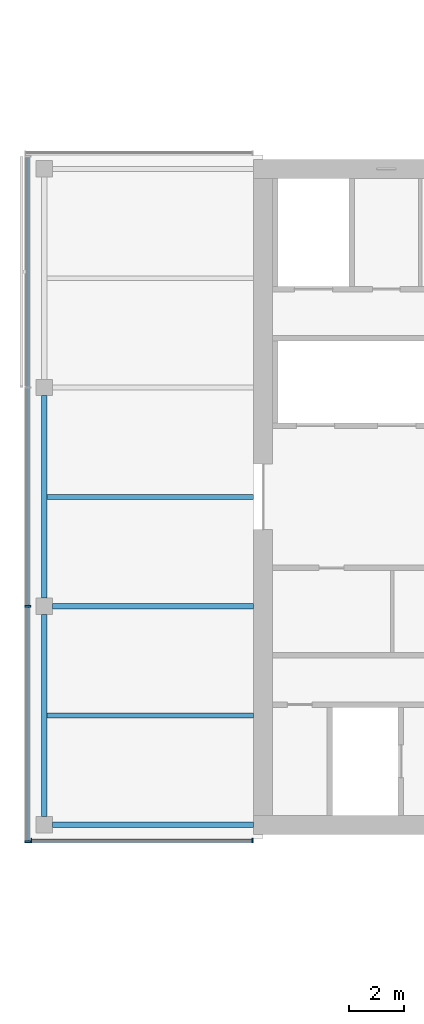
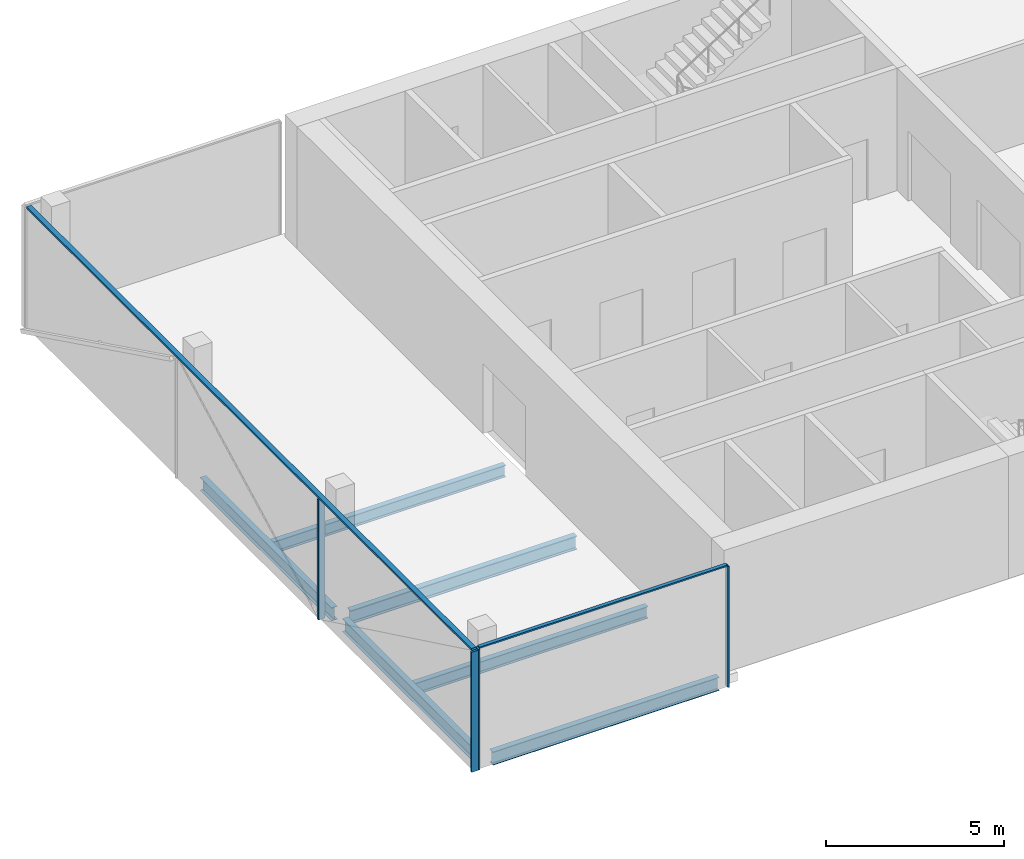
# One storey, part 3 of 22: 6 beams, 6 members, 2 elements without a shape of their own.
"""IFC4 building model written with IfcOpenShell, lengths in metres."""

from ifc_helpers import new_model, si_unit, direction, frame, origin, origin_2d, place, context, subcontext, project, spatial, rectangle, i_section, extrude, material, material_profile, profile_set, type_object, element, aggregate, save


model = new_model("IFC4")

# Units and contexts
model_context = context("Model", 3, precision=1e-05, world=origin(), true_north=direction((0.0, 1.0)))
body_context = subcontext(model_context, "Body", "Model", "MODEL_VIEW")
ifc_project = project(units=[si_unit("LENGTHUNIT", "METRE"), si_unit("AREAUNIT", "SQUARE_METRE"), si_unit("VOLUMEUNIT", "CUBIC_METRE"), si_unit("PLANEANGLEUNIT", "RADIAN"), si_unit("MASSUNIT", "GRAM", prefix="KILO")], contexts=[model_context])

# Site, building, storey
site_placement = place(None, origin())
site = spatial("IfcSite", under=ifc_project, at=site_placement, CompositionType="ELEMENT")
building_placement = place(site_placement, origin())
building = spatial("IfcBuilding", under=site, at=building_placement, Name="Crosswind Convention Tower", CompositionType="ELEMENT")
storey_placement = place(building_placement, frame((0.0, 0.0, 150.5)))
storey = spatial("IfcBuildingStorey", under=building, at=storey_placement, Name="L31", CompositionType="ELEMENT", Elevation=150.5)

# Beams
ifc_material_1 = material(Name="Steel S355", Category="steel")
ifc_material_profile_1 = material_profile(ifc_material_1, i_section(OverallWidth=0.18994140625, OverallDepth=0.45361328125, WebThickness=0.008544921875, FlangeThickness=0.0126953125, FilletRadius=0.01025390625, at=origin_2d()), Name="UB 457x191x67")
ifc_profile_set_1 = profile_set([ifc_material_profile_1], Name="Steel S355")
beam_type_1 = type_object("IfcBeamType", Name="Edge beam UB 457x191x67", PredefinedType="SPANDREL", material=ifc_profile_set_1)
for number, where, z_axis, x_axis, name in (
    (1, (89.0, 88.300048828125, -0.52685546875), (0.0, 1.0, 0.0), (-1.0, 0.0, 0.0), "B16 L31 edge beam 1"),
    (2, (89.0, 96.300048828125, -0.52685546875), (0.0, 1.0, 0.0), (-1.0, 0.0, 0.0), "B16 L31 edge beam 2"),
):
    element("IfcBeam", number, at=place(storey_placement, frame(where, z_axis=z_axis, x_axis=x_axis)), inside=storey, type_object=beam_type_1, Name=name, PredefinedType="SPANDREL", context=body_context, shape_type="SweptSolid", body=[
        extrude(i_section(OverallWidth=0.18994140625, OverallDepth=0.45361328125, WebThickness=0.008544921875, FlangeThickness=0.0126953125, FilletRadius=0.01025390625, at=origin_2d()), origin(), (0.0, 0.0, 1.0), 7.39990234375),
    ])
beam_1_placement = place(storey_placement, frame((89.300048828125, 88.0, -0.52685546875), z_axis=(1.0, 0.0, 0.0), x_axis=(0.0, 1.0, 0.0)))
element("IfcBeam", 3, at=beam_1_placement, inside=storey, type_object=beam_type_1, Name="B16 L31 edge beam 4", PredefinedType="SPANDREL", context=body_context, shape_type="SweptSolid", body=[
    extrude(i_section(OverallWidth=0.18994140625, OverallDepth=0.45361328125, WebThickness=0.008544921875, FlangeThickness=0.0126953125, FilletRadius=0.01025390625, at=origin_2d()), origin(), (0.0, 0.0, 1.0), 7.349853515625),
])
ifc_material_profile_2 = material_profile(ifc_material_1, i_section(OverallWidth=0.19189453125, OverallDepth=0.463623046875, WebThickness=0.010498046875, FlangeThickness=0.017578125, FilletRadius=0.01025390625, at=origin_2d()), Name="UB 457x191x90")
ifc_profile_set_2 = profile_set([ifc_material_profile_2], Name="Steel S355")
beam_type_2 = type_object("IfcBeamType", Name="Girder at core wall UB 457x191x90", PredefinedType="BEAM", material=ifc_profile_set_2)
beam_2_placement = place(storey_placement, frame((89.300048828125, 96.0, -0.53173828125), z_axis=(1.0, 0.0, 0.0), x_axis=(0.0, 1.0, 0.0)))
element("IfcBeam", 4, at=beam_2_placement, inside=storey, type_object=beam_type_2, Name="B24 L31 girder at core wall 1", PredefinedType="BEAM", context=body_context, shape_type="SweptSolid", body=[
    extrude(i_section(OverallWidth=0.19189453125, OverallDepth=0.463623046875, WebThickness=0.010498046875, FlangeThickness=0.017578125, FilletRadius=0.01025390625, at=origin_2d()), origin(), (0.0, 0.0, 1.0), 7.349853515625),
])

# Curtain wall, members
ifc_material_2 = material(Name="Aluminium unitised curtain wall", Category="aluminium")
curtain_wall_type_1 = type_object("IfcCurtainWallType", Name="CORE END SLOT WALL 160", PredefinedType="USERDEFINED", material=ifc_material_2)
curtain_wall_1_placement = place(storey_placement, origin())
curtain_wall_1 = element("IfcCurtainWall", 5, at=curtain_wall_1_placement, inside=storey, type_object=curtain_wall_type_1, Name="CW6 L31 W-S.1-1 slot", ObjectType="UNITISED", PredefinedType="USERDEFINED")
ifc_material_3 = material(Name="Aluminium mullion", Category="aluminium")
ifc_material_profile_3 = material_profile(ifc_material_3, rectangle(XDim=0.159912109375, YDim=0.050048828125, at=origin_2d()), Name="AL 160X50")
ifc_profile_set_3 = profile_set([ifc_material_profile_3], Name="Aluminium mullion")
member_type_1 = type_object("IfcMemberType", Name="MULLION 50X160", PredefinedType="MULLION", material=ifc_profile_set_3)
member_1_placement = place(storey_placement, frame((88.52490234375, 87.419921875, -0.300048828125), z_axis=(0.0, 0.0, 1.0), x_axis=(0.0, -1.0, 0.0)))
member_1 = element("IfcMember", 6, at=member_1_placement, type_object=member_type_1, Name="CW6 mullion 1", PredefinedType="MULLION", context=body_context, shape_type="SweptSolid", body=[
    extrude(rectangle(XDim=0.159912109375, YDim=0.050048828125, at=origin_2d()), origin(), (0.0, 0.0, 1.0), 4.150146484375),
])
member_2_placement = place(storey_placement, frame((96.625, 87.419921875, -0.300048828125), z_axis=(0.0, 0.0, 1.0), x_axis=(0.0, -1.0, 0.0)))
member_2 = element("IfcMember", 7, at=member_2_placement, type_object=member_type_1, Name="CW6 mullion 2", PredefinedType="MULLION", context=body_context, shape_type="SweptSolid", body=[
    extrude(rectangle(XDim=0.159912109375, YDim=0.050048828125, at=origin_2d()), origin(), (0.0, 0.0, 1.0), 4.150146484375),
])

curtain_wall_type_2 = type_object("IfcCurtainWallType", Name="OFFICE UNITISED WALL 220", PredefinedType="USERDEFINED", material=ifc_material_2)
curtain_wall_2_placement = place(storey_placement, origin())
curtain_wall_2 = element("IfcCurtainWall", 8, at=curtain_wall_2_placement, inside=storey, type_object=curtain_wall_type_2, Name="CW3 L31 W-TIP 1", ObjectType="UNITISED", PredefinedType="USERDEFINED")
ifc_material_profile_4 = material_profile(ifc_material_3, rectangle(XDim=0.219970703125, YDim=0.070068359375, at=origin_2d()), Name="AL 220X70")
ifc_profile_set_4 = profile_set([ifc_material_profile_4], Name="Aluminium mullion")
member_type_2 = type_object("IfcMemberType", Name="MULLION 70X220", PredefinedType="MULLION", material=ifc_profile_set_4)
member_3_placement = place(storey_placement, frame((88.389892578125, 96.0, -0.300048828125), z_axis=(0.0, 0.0, 1.0), x_axis=(-1.0, 0.0, 0.0)))
member_3 = element("IfcMember", 9, at=member_3_placement, type_object=member_type_2, Name="CW3 mullion 3", PredefinedType="MULLION", context=body_context, shape_type="SweptSolid", body=[
    extrude(rectangle(XDim=0.219970703125, YDim=0.070068359375, at=origin_2d()), origin(), (0.0, 0.0, 1.0), 4.130126953125),
])
member_4_placement = place(storey_placement, frame((88.389892578125, 87.375, -0.300048828125), z_axis=(0.0, 0.0, 1.0), x_axis=(-1.0, 0.0, 0.0)))
member_4 = element("IfcMember", 10, at=member_4_placement, type_object=member_type_2, Name="CW3 mullion 4", PredefinedType="MULLION", context=body_context, shape_type="SweptSolid", body=[
    extrude(rectangle(XDim=0.219970703125, YDim=0.070068359375, at=origin_2d()), origin(), (0.0, 0.0, 1.0), 4.130126953125),
])

# Beams
ifc_material_profile_5 = material_profile(ifc_material_1, i_section(OverallWidth=0.177734375, OverallDepth=0.406494140625, WebThickness=0.0078125, FlangeThickness=0.0126953125, FilletRadius=0.01025390625, at=origin_2d()), Name="UB 406x178x60")
ifc_profile_set_5 = profile_set([ifc_material_profile_5], Name="Steel S355")
beam_type_3 = type_object("IfcBeamType", Name="Secondary beam UB 406x178x60", PredefinedType="JOIST", material=ifc_profile_set_5)
for number, where, z_axis, x_axis, name in (
    (11, (89.094970703125, 92.0, -0.503173828125), (1.0, 0.0, 0.0), (0.0, 1.0, 0.0), "B10 L31 secondary beam 1"),
    (12, (89.094970703125, 100.0, -0.503173828125), (1.0, 0.0, 0.0), (0.0, 1.0, 0.0), "B10 L31 secondary beam 2"),
):
    element("IfcBeam", number, at=place(storey_placement, frame(where, z_axis=z_axis, x_axis=x_axis)), inside=storey, type_object=beam_type_3, Name=name, PredefinedType="JOIST", context=body_context, shape_type="SweptSolid", body=[
        extrude(i_section(OverallWidth=0.177734375, OverallDepth=0.406494140625, WebThickness=0.0078125, FlangeThickness=0.0126953125, FilletRadius=0.01025390625, at=origin_2d()), origin(), (0.0, 0.0, 1.0), 7.554931640625),
    ])

# Member
ifc_material_4 = material(Name="Aluminium transom", Category="aluminium")
ifc_material_profile_6 = material_profile(ifc_material_4, rectangle(XDim=0.1201171875, YDim=0.050048828125, at=origin_2d()), Name="AL 120X50")
ifc_profile_set_6 = profile_set([ifc_material_profile_6], Name="Aluminium transom")
member_type_3 = type_object("IfcMemberType", Name="TRANSOM 50X120", PredefinedType="USERDEFINED", material=ifc_profile_set_6)
member_5_placement = place(storey_placement, frame((88.550048828125, 87.419921875, 3.875), z_axis=(1.0, 0.0, 0.0), x_axis=(0.0, 1.0, 0.0)))
member_5 = element("IfcMember", 13, at=member_5_placement, type_object=member_type_3, Name="CW6 transom", ObjectType="TRANSOM", PredefinedType="USERDEFINED", context=body_context, shape_type="SweptSolid", body=[
    extrude(rectangle(XDim=0.1201171875, YDim=0.050048828125, at=origin_2d()), origin(), (0.0, 0.0, 1.0), 8.050048828125),
])

aggregate(curtain_wall_1, [member_1, member_2, member_5])

ifc_material_profile_7 = material_profile(ifc_material_4, rectangle(XDim=0.159912109375, YDim=0.070068359375, at=origin_2d()), Name="AL 160X70")
ifc_profile_set_7 = profile_set([ifc_material_profile_7], Name="Aluminium transom")
member_type_4 = type_object("IfcMemberType", Name="TRANSOM 70X160", PredefinedType="USERDEFINED", material=ifc_profile_set_7)
member_6_placement = place(storey_placement, frame((88.389892578125, 112.429931640625, 3.864990234375), z_axis=(0.0, -1.0, 0.0), x_axis=(1.0, 0.0, 0.0)))
member_6 = element("IfcMember", 14, at=member_6_placement, type_object=member_type_4, Name="CW3 transom", ObjectType="TRANSOM", PredefinedType="USERDEFINED", context=body_context, shape_type="SweptSolid", body=[
    extrude(rectangle(XDim=0.159912109375, YDim=0.070068359375, at=origin_2d()), origin(), (0.0, 0.0, 1.0), 25.02001953125),
])

aggregate(curtain_wall_2, [member_3, member_4, member_6])

save(model, "model.ifc")
